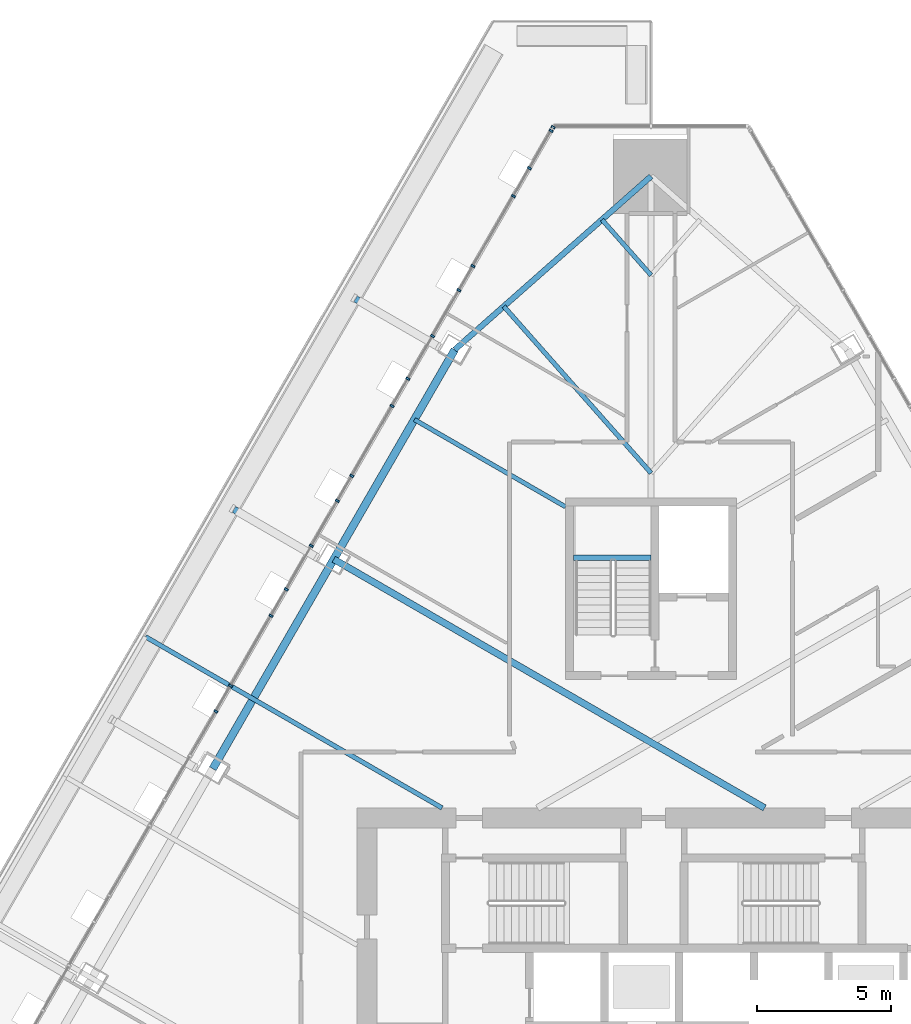
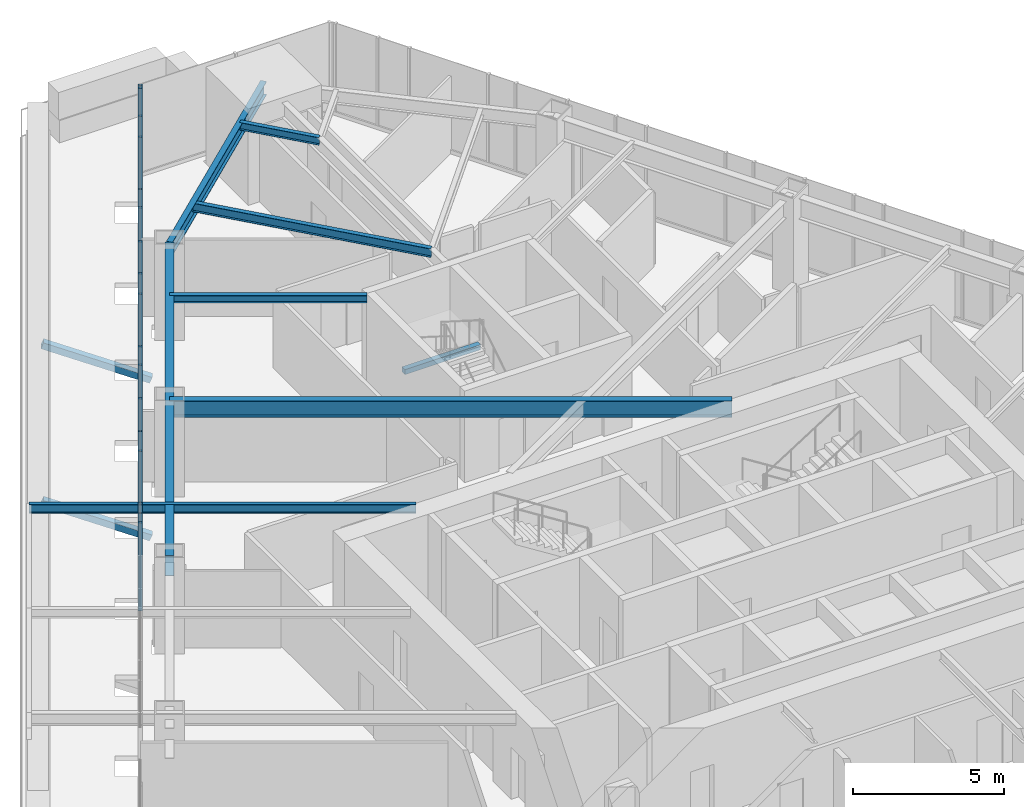
# One storey, part 10 of 35: 18 members, 8 beams, 1 element without a shape of its own.
"""IFC4 building model written with IfcOpenShell, lengths in metres."""

import ifcopenshell
import ifcopenshell.guid

model = None  # the IFC model being written
_history = None  # IfcOwnerHistory: only IFC2X3 demands one
_inside = {}  # id of a spatial element -> (the spatial element, [elements in it])
_under = {}  # id of a project, library or spatial element -> (it, [spatial elements below it])
_declared = {}  # id of a project -> (the project, [libraries it declares])
_typed = {}  # id of a type object -> (the type object, [elements of that type])
_made_of = {}  # id of a material, layer set ... -> (it, [elements and type objects made of it])


def new_model(schema):
    """Start an empty IFC model of exactly this schema.

    Asked for "IFC4X3", IfcOpenShell would pick the latest addendum, in which some entities
    have other attributes; the version numbers below select the first issue.
    IFC2X3 requires an IfcOwnerHistory on every rooted entity: one is made here for all.
    """
    global model, _history
    if schema == "IFC4X3":
        model = ifcopenshell.file(schema_version=(4, 3, 0, 0))
    else:
        model = ifcopenshell.file(schema=schema)
    _inside.clear()
    _under.clear()
    _declared.clear()
    _typed.clear()
    _made_of.clear()
    _history = None
    if model.schema == "IFC2X3":
        org = make("IfcOrganization", Name="unknown")
        user = make(
            "IfcPersonAndOrganization",
            ThePerson=make("IfcPerson", FamilyName="unknown"),
            TheOrganization=org,
        )
        app = make(
            "IfcApplication",
            ApplicationDeveloper=org,
            Version="unknown",
            ApplicationFullName="unknown",
            ApplicationIdentifier="unknown",
        )
        _history = make(
            "IfcOwnerHistory",
            OwningUser=user,
            OwningApplication=app,
            ChangeAction="ADDED",
            CreationDate=0,
        )
    return model


def make(cls, **values):
    """One entity of the class cls with the attributes given. An attribute that is None is left unset."""
    return model.create_entity(
        cls, **{name: value for name, value in values.items() if value is not None}
    )


def rooted(cls, **values):
    """An entity with a GlobalId (a new one), such as an element, a storey or a relation."""
    return make(cls, GlobalId=ifcopenshell.guid.new(), OwnerHistory=_history, **values)


def si_unit(unit_type, name, prefix=None):
    """IfcSIUnit, for example si_unit("LENGTHUNIT", "METRE", prefix="MILLI")."""
    return make("IfcSIUnit", UnitType=unit_type, Prefix=prefix, Name=name)


def assignment(units):
    """IfcUnitAssignment: the units of a project."""
    return None if units is None else make("IfcUnitAssignment", Units=units)


def point(xyz):
    """IfcCartesianPoint."""
    return None if xyz is None else make("IfcCartesianPoint", Coordinates=xyz)


def direction(xyz):
    """IfcDirection."""
    return None if xyz is None else make("IfcDirection", DirectionRatios=xyz)


def frame(location, z_axis=None, x_axis=None):
    """IfcAxis2Placement3D, a coordinate frame: its origin and axes. An axis left out is left unset."""
    return make(
        "IfcAxis2Placement3D",
        Location=point(location),
        Axis=direction(z_axis),
        RefDirection=direction(x_axis),
    )


def frame_2d(location, x_axis=None):
    """IfcAxis2Placement2D, a coordinate frame in the plane: its origin and x axis."""
    return make(
        "IfcAxis2Placement2D", Location=point(location), RefDirection=direction(x_axis)
    )


def origin():
    """The frame at (0, 0, 0) with its axes left unset."""
    return frame((0.0, 0.0, 0.0))


def origin_2d():
    """The frame at (0, 0) in the plane with its x axis left unset."""
    return frame_2d((0.0, 0.0))


def place(relative_to, where):
    """IfcLocalPlacement: puts the frame where relative to a parent placement (None: the world)."""
    return make(
        "IfcLocalPlacement", PlacementRelTo=relative_to, RelativePlacement=where
    )


def context(
    kind, dimensions, precision=None, world=None, true_north=None, identifier=None
):
    """IfcGeometricRepresentationContext, for example the 3D "Model" context."""
    return make(
        "IfcGeometricRepresentationContext",
        ContextIdentifier=identifier,
        ContextType=kind,
        CoordinateSpaceDimension=dimensions,
        Precision=precision,
        WorldCoordinateSystem=world,
        TrueNorth=true_north,
    )


def subcontext(parent, identifier, kind, view, scale=None):
    """IfcGeometricRepresentationSubContext, for example "Body" below "Model"."""
    return make(
        "IfcGeometricRepresentationSubContext",
        ContextIdentifier=identifier,
        ContextType=kind,
        ParentContext=parent,
        TargetScale=scale,
        TargetView=view,
    )


def project(units=None, contexts=None):
    """IfcProject with its units and contexts."""
    return rooted(
        "IfcProject",
        Name="project",
        RepresentationContexts=contexts,
        UnitsInContext=assignment(units),
    )


def spatial(cls, under=None, at=None, **own):
    """A site, building, storey or space (cls), placed at a placement, below another one or the project."""
    s = rooted(cls, ObjectPlacement=at, **own)
    if under is not None:
        _under.setdefault(under.id(), (under, []))[1].append(s)
    return s


def profile(cls, at=None, kind="AREA", **sizes):
    """A parametric profile (cls). Its sizes go by their IFC names, for example OverallWidth=200.0."""
    return make(cls, ProfileType=kind, Position=at, **sizes)


def rectangle(**sizes):
    """IfcRectangleProfileDef."""
    return profile("IfcRectangleProfileDef", **sizes)


def hollow_rectangle(**sizes):
    """IfcRectangleHollowProfileDef."""
    return profile("IfcRectangleHollowProfileDef", **sizes)


def i_section(**sizes):
    """IfcIShapeProfileDef."""
    return profile("IfcIShapeProfileDef", **sizes)


def extrude(swept, where, along, depth):
    """IfcExtrudedAreaSolid: the profile swept, set in the frame where, extruded along a direction by depth."""
    return make(
        "IfcExtrudedAreaSolid",
        SweptArea=swept,
        Position=where,
        ExtrudedDirection=direction(along),
        Depth=depth,
    )


def shape(context_of_items, identifier, shape_type, items):
    """IfcShapeRepresentation: the items that make up one representation, for example the "Body"."""
    return make(
        "IfcShapeRepresentation",
        ContextOfItems=context_of_items,
        RepresentationIdentifier=identifier,
        RepresentationType=shape_type,
        Items=items,
    )


def material(Name=None, Category=None):
    """IfcMaterial."""
    return make("IfcMaterial", Name=Name, Category=Category)


def layer(
    of_material, thickness, ventilated=None, Name=None, Category=None, Priority=None
):
    """IfcMaterialLayer: one layer of a wall or slab, of a material (None: an air gap)."""
    return make(
        "IfcMaterialLayer",
        Material=of_material,
        LayerThickness=thickness,
        IsVentilated=ventilated,
        Name=Name,
        Category=Category,
        Priority=Priority,
    )


def layer_set(layers, Name=None):
    """IfcMaterialLayerSet."""
    return make("IfcMaterialLayerSet", MaterialLayers=layers, LayerSetName=Name)


def material_profile(
    of_material, cross_section, Name=None, Category=None, Priority=None
):
    """IfcMaterialProfile: a cross section and its material."""
    return make(
        "IfcMaterialProfile",
        Name=Name,
        Material=of_material,
        Profile=cross_section,
        Priority=Priority,
        Category=Category,
    )


def profile_set(profiles, Name=None, composite=None):
    """IfcMaterialProfileSet."""
    return make(
        "IfcMaterialProfileSet",
        Name=Name,
        MaterialProfiles=profiles,
        CompositeProfile=composite,
    )


def made_of(thing, what):
    """Note that an element or type object is made of a material, layer set ...; save() writes the relation."""
    if what is not None:
        _made_of.setdefault(what.id(), (what, []))[1].append(thing)
    return thing


def type_object(cls, material=None, **own):
    """A type object (cls), such as IfcWallType, which elements share."""
    return made_of(rooted(cls, **own), material)


def element(
    cls,
    number,
    at=None,
    inside=None,
    cuts=None,
    type_object=None,
    material=None,
    context=None,
    identifier="Body",
    shape_type=None,
    held_by="IfcProductDefinitionShape",
    body=None,
    shapes=None,
    **own,
):
    """One element of the class cls, such as IfcWall. Its Tag is "e" and its number.

    at: its placement. inside: the storey or other place that contains it. cuts: it is an
    opening in that element (IfcRelVoidsElement). A single representation is given by context,
    identifier, shape_type and body (its items); several are given by shapes. held_by: the class
    of the entity that holds the representations. save() writes the other relations.
    """
    e = rooted(cls, Tag="e%d" % number, ObjectPlacement=at, **own)
    if body is not None:
        shapes = [shape(context, identifier, shape_type, body)]
    if shapes is not None:
        e.Representation = make(held_by, Representations=shapes)
    if inside is not None:
        _inside.setdefault(inside.id(), (inside, []))[1].append(e)
    if cuts is not None:
        rooted(
            "IfcRelVoidsElement", RelatingBuildingElement=cuts, RelatedOpeningElement=e
        )
    if type_object is not None:
        _typed.setdefault(type_object.id(), (type_object, []))[1].append(e)
    return made_of(e, material)


def aggregate(whole, parts):
    """IfcRelAggregates: a whole, such as a stair, and the parts it consists of."""
    return rooted("IfcRelAggregates", RelatingObject=whole, RelatedObjects=parts)


def save(model, path):
    """Write the relations noted so far, then the file.

    IfcRelAggregates (storeys below a building ...), IfcRelContainedInSpatialStructure (elements
    in a storey), IfcRelDefinesByType, IfcRelAssociatesMaterial and IfcRelDeclares: one each for
    every whole, place, type object, material and project.
    """
    for whole, parts in _under.values():
        aggregate(whole, parts)
    for where, things in _inside.values():
        rooted(
            "IfcRelContainedInSpatialStructure",
            RelatedElements=things,
            RelatingStructure=where,
        )
    for kind, things in _typed.values():
        rooted("IfcRelDefinesByType", RelatedObjects=things, RelatingType=kind)
    for what, things in _made_of.values():
        rooted("IfcRelAssociatesMaterial", RelatedObjects=things, RelatingMaterial=what)
    for by, libraries in _declared.values():
        rooted("IfcRelDeclares", RelatingContext=by, RelatedDefinitions=libraries)
    model.write(path)


model = new_model("IFC4")

# Units and contexts
model_context = context("Model", 3, precision=1e-05, world=origin(), true_north=direction((0.0, 1.0)))
body_context = subcontext(model_context, "Body", "Model", "MODEL_VIEW")
ifc_project = project(units=[si_unit("LENGTHUNIT", "METRE"), si_unit("AREAUNIT", "SQUARE_METRE"), si_unit("VOLUMEUNIT", "CUBIC_METRE"), si_unit("PLANEANGLEUNIT", "RADIAN"), si_unit("MASSUNIT", "GRAM", prefix="KILO")], contexts=[model_context])

# Site, building, storey
site_placement = place(None, origin())
site = spatial("IfcSite", under=ifc_project, at=site_placement, CompositionType="ELEMENT")
building_placement = place(site_placement, origin())
building = spatial("IfcBuilding", under=site, at=building_placement, Name="Firuza Gate Tower and Library", CompositionType="ELEMENT")
storey_placement = place(building_placement, frame((0.0, 0.0, 159.699951171875)))
storey = spatial("IfcBuildingStorey", under=building, at=storey_placement, Name="L36", CompositionType="ELEMENT", Elevation=159.699951171875)

# Curtain wall, members
ifc_material_1 = material(Name="Aluminium 6063-T6", Category="aluminium")
ifc_layer = layer(ifc_material_1, 0.14990234375)
ifc_layer_set = layer_set([ifc_layer], Name="Unitised curtain wall, hotel")
curtain_wall_type = type_object("IfcCurtainWallType", Name="Unitised curtain wall, hotel", PredefinedType="NOTDEFINED", material=ifc_layer_set)
curtain_wall_placement = place(storey_placement, origin())
curtain_wall = element("IfcCurtainWall", 1, at=curtain_wall_placement, inside=storey, type_object=curtain_wall_type, Name="CW2 L36 W face", PredefinedType="NOTDEFINED")
ifc_material_2 = material(Name="Aluminium 6063-T6", Category="aluminium")
ifc_material_profile_1 = material_profile(ifc_material_2, rectangle(XDim=0.14990234375, YDim=0.080078125, at=origin_2d()))
ifc_profile_set_1 = profile_set([ifc_material_profile_1], Name="Aluminium 6063-T6")
member_type_1 = type_object("IfcMemberType", Name="Curtain wall mullion 80x150", PredefinedType="MULLION", material=ifc_profile_set_1)
member_1_placement = place(storey_placement, frame((71.336669921875, 108.482666015625, 0.150146484375), z_axis=(0.0, 0.0, 1.0), x_axis=(0.866025403784, -0.5, 0.0)))
member_1 = element("IfcMember", 2, at=member_1_placement, type_object=member_type_1, Name="Mullion", PredefinedType="MULLION", context=body_context, shape_type="SweptSolid", body=[
    extrude(rectangle(XDim=0.14990234375, YDim=0.080078125, at=origin_2d()), origin(), (0.0, 0.0, 1.0), 3.5498046875),
])
member_2_placement = place(storey_placement, frame((69.84521484375, 105.8994140625, 0.150146484375), z_axis=(0.0, 0.0, 1.0), x_axis=(0.866025403784, -0.5, 0.0)))
member_2 = element("IfcMember", 3, at=member_2_placement, type_object=member_type_1, Name="Mullion", PredefinedType="MULLION", context=body_context, shape_type="SweptSolid", body=[
    extrude(rectangle(XDim=0.14990234375, YDim=0.080078125, at=origin_2d()), origin(), (0.0, 0.0, 1.0), 3.5498046875),
])
member_3_placement = place(storey_placement, frame((68.333984375, 103.28173828125, 0.150146484375), z_axis=(0.0, 0.0, 1.0), x_axis=(0.866025403784, -0.5, 0.0)))
member_3 = element("IfcMember", 4, at=member_3_placement, type_object=member_type_1, Name="Mullion", PredefinedType="MULLION", context=body_context, shape_type="SweptSolid", body=[
    extrude(rectangle(XDim=0.14990234375, YDim=0.080078125, at=origin_2d()), origin(), (0.0, 0.0, 1.0), 3.5498046875),
])
member_4_placement = place(storey_placement, frame((66.822509765625, 100.663818359375, 0.150146484375), z_axis=(0.0, 0.0, 1.0), x_axis=(0.866025403784, -0.5, 0.0)))
member_4 = element("IfcMember", 5, at=member_4_placement, type_object=member_type_1, Name="Mullion", PredefinedType="MULLION", context=body_context, shape_type="SweptSolid", body=[
    extrude(rectangle(XDim=0.14990234375, YDim=0.080078125, at=origin_2d()), origin(), (0.0, 0.0, 1.0), 3.5498046875),
])
member_5_placement = place(storey_placement, frame((65.31103515625, 98.046142578125, 0.150146484375), z_axis=(0.0, 0.0, 1.0), x_axis=(0.866025403784, -0.5, 0.0)))
member_5 = element("IfcMember", 6, at=member_5_placement, type_object=member_type_1, Name="Mullion", PredefinedType="MULLION", context=body_context, shape_type="SweptSolid", body=[
    extrude(rectangle(XDim=0.14990234375, YDim=0.080078125, at=origin_2d()), origin(), (0.0, 0.0, 1.0), 3.5498046875),
])
member_6_placement = place(storey_placement, frame((63.7998046875, 95.42822265625, 0.150146484375), z_axis=(0.0, 0.0, 1.0), x_axis=(0.866025403784, -0.5, 0.0)))
member_6 = element("IfcMember", 7, at=member_6_placement, type_object=member_type_1, Name="Mullion", PredefinedType="MULLION", context=body_context, shape_type="SweptSolid", body=[
    extrude(rectangle(XDim=0.14990234375, YDim=0.080078125, at=origin_2d()), origin(), (0.0, 0.0, 1.0), 3.5498046875),
])
member_7_placement = place(storey_placement, frame((62.288330078125, 92.810302734375, 0.150146484375), z_axis=(0.0, 0.0, 1.0), x_axis=(0.866025403784, -0.5, 0.0)))
member_7 = element("IfcMember", 8, at=member_7_placement, type_object=member_type_1, Name="Mullion", PredefinedType="MULLION", context=body_context, shape_type="SweptSolid", body=[
    extrude(rectangle(XDim=0.14990234375, YDim=0.080078125, at=origin_2d()), origin(), (0.0, 0.0, 1.0), 3.5498046875),
])
member_8_placement = place(storey_placement, frame((60.77685546875, 90.192626953125, 0.150146484375), z_axis=(0.0, 0.0, 1.0), x_axis=(0.866025403784, -0.5, 0.0)))
member_8 = element("IfcMember", 9, at=member_8_placement, type_object=member_type_1, Name="Mullion", PredefinedType="MULLION", context=body_context, shape_type="SweptSolid", body=[
    extrude(rectangle(XDim=0.14990234375, YDim=0.080078125, at=origin_2d()), origin(), (0.0, 0.0, 1.0), 3.5498046875),
])
member_9_placement = place(storey_placement, frame((59.265380859375, 87.57470703125, 0.150146484375), z_axis=(0.0, 0.0, 1.0), x_axis=(0.866025403784, -0.5, 0.0)))
member_9 = element("IfcMember", 10, at=member_9_placement, type_object=member_type_1, Name="Mullion", PredefinedType="MULLION", context=body_context, shape_type="SweptSolid", body=[
    extrude(rectangle(XDim=0.14990234375, YDim=0.080078125, at=origin_2d()), origin(), (0.0, 0.0, 1.0), 3.5498046875),
])
member_10_placement = place(storey_placement, frame((71.26025390625, 108.35009765625, 0.150146484375), z_axis=(0.0, 0.0, 1.0), x_axis=(0.866025403784, -0.5, 0.0)))
member_10 = element("IfcMember", 11, at=member_10_placement, type_object=member_type_1, Name="Mullion", PredefinedType="MULLION", context=body_context, shape_type="SweptSolid", body=[
    extrude(rectangle(XDim=0.14990234375, YDim=0.080078125, at=origin_2d()), origin(), (0.0, 0.0, 1.0), 3.5498046875),
])
member_11_placement = place(storey_placement, frame((70.447998046875, 106.943359375, 0.150146484375), z_axis=(0.0, 0.0, 1.0), x_axis=(0.866025403784, -0.5, 0.0)))
member_11 = element("IfcMember", 12, at=member_11_placement, type_object=member_type_1, Name="Mullion", PredefinedType="MULLION", context=body_context, shape_type="SweptSolid", body=[
    extrude(rectangle(XDim=0.14990234375, YDim=0.080078125, at=origin_2d()), origin(), (0.0, 0.0, 1.0), 3.5498046875),
])
member_12_placement = place(storey_placement, frame((67.810302734375, 102.374755859375, 0.150146484375), z_axis=(0.0, 0.0, 1.0), x_axis=(0.866025403784, -0.5, 0.0)))
member_12 = element("IfcMember", 13, at=member_12_placement, type_object=member_type_1, Name="Mullion", PredefinedType="MULLION", context=body_context, shape_type="SweptSolid", body=[
    extrude(rectangle(XDim=0.14990234375, YDim=0.080078125, at=origin_2d()), origin(), (0.0, 0.0, 1.0), 3.5498046875),
])
member_13_placement = place(storey_placement, frame((65.89794921875, 99.0625, 0.150146484375), z_axis=(0.0, 0.0, 1.0), x_axis=(0.866025403784, -0.5, 0.0)))
member_13 = element("IfcMember", 14, at=member_13_placement, type_object=member_type_1, Name="Mullion", PredefinedType="MULLION", context=body_context, shape_type="SweptSolid", body=[
    extrude(rectangle(XDim=0.14990234375, YDim=0.080078125, at=origin_2d()), origin(), (0.0, 0.0, 1.0), 3.5498046875),
])
member_14_placement = place(storey_placement, frame((63.26025390625, 94.493896484375, 0.150146484375), z_axis=(0.0, 0.0, 1.0), x_axis=(0.866025403784, -0.5, 0.0)))
member_14 = element("IfcMember", 15, at=member_14_placement, type_object=member_type_1, Name="Mullion", PredefinedType="MULLION", context=body_context, shape_type="SweptSolid", body=[
    extrude(rectangle(XDim=0.14990234375, YDim=0.080078125, at=origin_2d()), origin(), (0.0, 0.0, 1.0), 3.5498046875),
])
member_15_placement = place(storey_placement, frame((61.347900390625, 91.181640625, 0.150146484375), z_axis=(0.0, 0.0, 1.0), x_axis=(0.866025403784, -0.5, 0.0)))
member_15 = element("IfcMember", 16, at=member_15_placement, type_object=member_type_1, Name="Mullion", PredefinedType="MULLION", context=body_context, shape_type="SweptSolid", body=[
    extrude(rectangle(XDim=0.14990234375, YDim=0.080078125, at=origin_2d()), origin(), (0.0, 0.0, 1.0), 3.5498046875),
])
member_16_placement = place(storey_placement, frame((58.710205078125, 86.613037109375, 0.150146484375), z_axis=(0.0, 0.0, 1.0), x_axis=(0.866025403784, -0.5, 0.0)))
member_16 = element("IfcMember", 17, at=member_16_placement, type_object=member_type_1, Name="Mullion", PredefinedType="MULLION", context=body_context, shape_type="SweptSolid", body=[
    extrude(rectangle(XDim=0.14990234375, YDim=0.080078125, at=origin_2d()), origin(), (0.0, 0.0, 1.0), 3.5498046875),
])
aggregate(curtain_wall, [member_1, member_2, member_3, member_4, member_5, member_6, member_7, member_8, member_9, member_10, member_11, member_12, member_13, member_14, member_15, member_16])

# Members
ifc_material_3 = material(Name="Steel S355", Category="steel")
ifc_material_profile_2 = material_profile(ifc_material_3, hollow_rectangle(XDim=0.25390625, YDim=0.25390625, WallThickness=0.01171875, at=origin_2d()))
ifc_profile_set_2 = profile_set([ifc_material_profile_2], Name="Steel S355")
member_type_2 = type_object("IfcMemberType", Name="HSS254x254x13 Tray strut", PredefinedType="BRACE", material=ifc_profile_set_2)
for number, where, z_axis, x_axis, name in (
    (18, (67.01611328125, 100.278564453125, -1.669921875), (-0.807140949077, 0.466018027999, 0.362423351763), (-0.500012057535, -0.866018442252, 0.0), "Tray strut L36 col:L35:W1"),
    (19, (62.466064453125, 92.397705078125, -1.669921875), (-0.807140949077, 0.466018027999, 0.362423351763), (-0.500012057535, -0.866018442252, 0.0), "Tray strut L36 col:L35:W2"),
):
    element("IfcMember", number, at=place(storey_placement, frame(where, z_axis=z_axis, x_axis=x_axis)), inside=storey, type_object=member_type_2, Name=name, PredefinedType="BRACE", context=body_context, shape_type="SweptSolid", body=[
        extrude(hollow_rectangle(XDim=0.25390625, YDim=0.25390625, WallThickness=0.01171875, at=origin_2d()), origin(), (0.0, 0.0, 1.0), 3.862548828125),
    ])

# Beams
ifc_material_4 = material(Name="Concrete C35/45", Category="concrete")
ifc_material_profile_3 = material_profile(ifc_material_4, rectangle(XDim=0.199951171875, YDim=0.199951171875, at=origin_2d()))
ifc_profile_set_3 = profile_set([ifc_material_profile_3], Name="Concrete C35/45")
beam_type_1 = type_object("IfcBeamType", Name="Stair landing bearer 200x200", PredefinedType="BEAM", material=ifc_profile_set_3)
beam_1_placement = place(storey_placement, frame((75.0, 92.3701171875, 1.650146484375), z_axis=(-1.0, 0.0, 0.0), x_axis=(0.0, -1.0, 0.0)))
element("IfcBeam", 20, at=beam_1_placement, inside=storey, type_object=beam_type_1, Name="Landing bearer L36 stair 3", PredefinedType="BEAM", context=body_context, shape_type="SweptSolid", body=[
    extrude(rectangle(XDim=0.199951171875, YDim=0.199951171875, at=origin_2d()), origin(), (0.0, 0.0, 1.0), 2.89990234375),
])
ifc_material_5 = material(Name="Steel S355", Category="steel")
ifc_material_profile_4 = material_profile(ifc_material_5, i_section(OverallWidth=0.1650390625, OverallDepth=0.31005859375, WebThickness=0.005859375, FlangeThickness=0.009765625, at=origin_2d()))
ifc_profile_set_4 = profile_set([ifc_material_profile_4], Name="Steel S355")
beam_type_2 = type_object("IfcBeamType", Name="W310x39 Floor beam", PredefinedType="JOIST", material=ifc_profile_set_4)
beam_2_placement = place(storey_placement, frame((73.1630859375, 105.01953125, 3.545166015625), z_axis=(0.662110460261, -0.749406257255, 0.0), x_axis=(0.749406257255, 0.662110460261, 0.0)))
element("IfcBeam", 21, at=beam_2_placement, inside=storey, type_object=beam_type_2, Name="Floor beam L36 s70", PredefinedType="JOIST", context=body_context, shape_type="SweptSolid", body=[
    extrude(i_section(OverallWidth=0.1650390625, OverallDepth=0.31005859375, WebThickness=0.005859375, FlangeThickness=0.009765625, at=origin_2d()), origin(), (0.0, 0.0, 1.0), 2.7744140625),
])
beam_3_placement = place(storey_placement, frame((66.1435546875, 97.537841796875, 3.545166015625), z_axis=(0.866019389049, -0.500010417683, 0.0), x_axis=(0.500010417683, 0.866019389049, 0.0)))
element("IfcBeam", 22, at=beam_3_placement, inside=storey, type_object=beam_type_2, Name="Floor beam L36 s80", PredefinedType="JOIST", context=body_context, shape_type="SweptSolid", body=[
    extrude(i_section(OverallWidth=0.1650390625, OverallDepth=0.31005859375, WebThickness=0.005859375, FlangeThickness=0.009765625, at=origin_2d()), origin(), (0.0, 0.0, 1.0), 6.531494140625),
])
ifc_material_6 = material(Name="Steel S355", Category="steel")
ifc_material_profile_5 = material_profile(ifc_material_6, i_section(OverallWidth=0.1708984375, OverallDepth=0.35498046875, WebThickness=0.007080078125, FlangeThickness=0.01171875, at=origin_2d()))
ifc_profile_set_5 = profile_set([ifc_material_profile_5], Name="Steel S355")
beam_type_3 = type_object("IfcBeamType", Name="W360x51 Floor beam", PredefinedType="JOIST", material=ifc_profile_set_5)
beam_4_placement = place(storey_placement, frame((69.4892578125, 101.774169921875, 3.5224609375), z_axis=(0.662066797423, -0.749444831692, 0.0), x_axis=(0.749444831692, 0.662066797423, 0.0)))
element("IfcBeam", 23, at=beam_4_placement, inside=storey, type_object=beam_type_3, Name="Floor beam L36 s71", PredefinedType="JOIST", context=body_context, shape_type="SweptSolid", body=[
    extrude(i_section(OverallWidth=0.1708984375, OverallDepth=0.35498046875, WebThickness=0.007080078125, FlangeThickness=0.01171875, at=origin_2d()), origin(), (0.0, 0.0, 1.0), 8.323486328125),
])
beam_5_placement = place(storey_placement, frame((56.080322265625, 89.408203125, 3.5224609375), z_axis=(0.866026024796, -0.499998924375, 0.0), x_axis=(0.499998924375, 0.866026024796, 0.0)))
element("IfcBeam", 24, at=beam_5_placement, inside=storey, type_object=beam_type_3, Name="Floor beam L36 s82", PredefinedType="JOIST", context=body_context, shape_type="SweptSolid", body=[
    extrude(i_section(OverallWidth=0.1708984375, OverallDepth=0.35498046875, WebThickness=0.007080078125, FlangeThickness=0.01171875, at=origin_2d()), origin(), (0.0, 0.0, 1.0), 12.81640625),
])
ifc_material_7 = material(Name="Steel S355", Category="steel")
ifc_material_profile_6 = material_profile(ifc_material_7, i_section(OverallWidth=0.212890625, OverallDepth=0.5390625, WebThickness=0.01171875, FlangeThickness=0.018798828125, at=origin_2d()))
ifc_profile_set_6 = profile_set([ifc_material_profile_6], Name="Steel S355")
beam_type_4 = type_object("IfcBeamType", Name="W530x109 Edge beam", PredefinedType="SPANDREL", material=ifc_profile_set_6)
beam_6_placement = place(storey_placement, frame((75.0, 106.642333984375, 3.4306640625), z_axis=(-0.749446028543, -0.662065442612, 0.0), x_axis=(0.662065442612, -0.749446028543, 0.0)))
element("IfcBeam", 25, at=beam_6_placement, inside=storey, type_object=beam_type_4, Name="Edge beam L36 e70", PredefinedType="SPANDREL", context=body_context, shape_type="SweptSolid", body=[
    extrude(i_section(OverallWidth=0.212890625, OverallDepth=0.5390625, WebThickness=0.01171875, FlangeThickness=0.018798828125, at=origin_2d()), origin(), (0.0, 0.0, 1.0), 9.80419921875),
])
ifc_material_8 = material(Name="Steel S355", Category="steel")
ifc_material_profile_7 = material_profile(ifc_material_8, i_section(OverallWidth=0.2529296875, OverallDepth=0.677978515625, WebThickness=0.01171875, FlangeThickness=0.016357421875, at=origin_2d()))
ifc_profile_set_7 = profile_set([ifc_material_profile_7], Name="Steel S355")
beam_type_5 = type_object("IfcBeamType", Name="W690x125 Floor beam", PredefinedType="JOIST", material=ifc_profile_set_7)
beam_7_placement = place(storey_placement, frame((63.12548828125, 92.310302734375, 3.361083984375), z_axis=(0.866026198502, -0.499998623507, 0.0), x_axis=(0.499998623507, 0.866026198502, 0.0)))
element("IfcBeam", 26, at=beam_7_placement, inside=storey, type_object=beam_type_5, Name="Floor beam L36 s81", PredefinedType="JOIST", context=body_context, shape_type="SweptSolid", body=[
    extrude(i_section(OverallWidth=0.2529296875, OverallDepth=0.677978515625, WebThickness=0.01171875, FlangeThickness=0.016357421875, at=origin_2d()), origin(), (0.0, 0.0, 1.0), 18.62060546875),
])
ifc_material_9 = material(Name="Steel S355", Category="steel")
ifc_material_profile_8 = material_profile(ifc_material_9, i_section(OverallWidth=0.2919921875, OverallDepth=0.8349609375, WebThickness=0.013916015625, FlangeThickness=0.018798828125, at=origin_2d()))
ifc_profile_set_8 = profile_set([ifc_material_profile_8], Name="Steel S355")
beam_type_6 = type_object("IfcBeamType", Name="W840x176 Edge beam", PredefinedType="SPANDREL", material=ifc_profile_set_8)
beam_8_placement = place(storey_placement, frame((67.65234375, 100.1513671875, 3.282470703125), z_axis=(-0.500000608324, -0.866025052568, 0.0), x_axis=(0.866025052568, -0.500000608324, 0.0)))
element("IfcBeam", 27, at=beam_8_placement, inside=storey, type_object=beam_type_6, Name="Edge beam L36 e80", PredefinedType="SPANDREL", context=body_context, shape_type="SweptSolid", body=[
    extrude(i_section(OverallWidth=0.2919921875, OverallDepth=0.8349609375, WebThickness=0.013916015625, FlangeThickness=0.018798828125, at=origin_2d()), origin(), (0.0, 0.0, 1.0), 18.10791015625),
])

save(model, "model.ifc")
